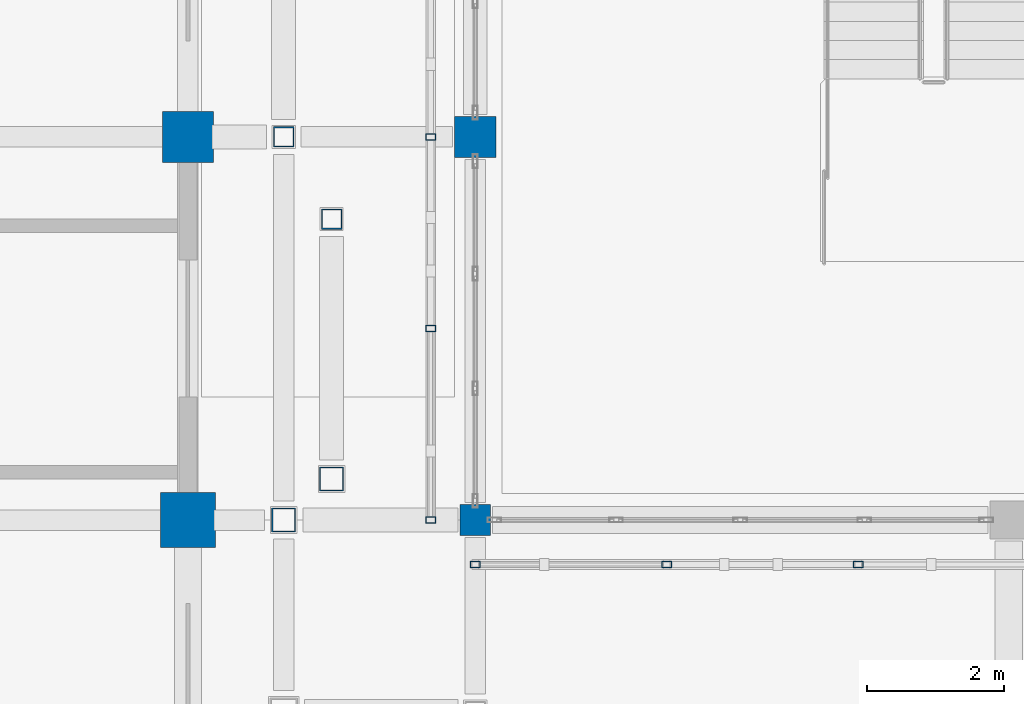
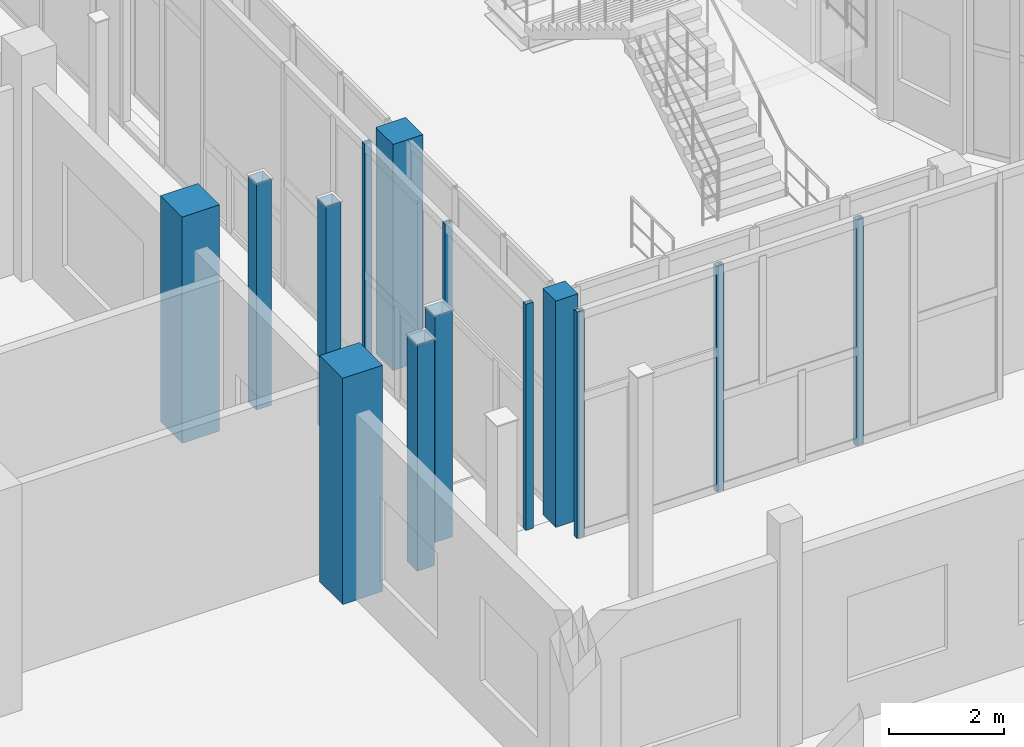
# One storey, part 3 of 91: 14 columns.
"""IFC4 building model written with IfcOpenShell, lengths in metres."""

from ifc_helpers import new_model, si_unit, direction, frame, origin, origin_2d, place, context, subcontext, project, spatial, rectangle, hollow_rectangle, extrude, material, material_profile, profile_set, type_object, element, save


model = new_model("IFC4")

# Units and contexts
model_context = context("Model", 3, precision=1e-05, world=origin(), true_north=direction((0.0, 1.0)))
body_context = subcontext(model_context, "Body", "Model", "MODEL_VIEW")
ifc_project = project(units=[si_unit("LENGTHUNIT", "METRE"), si_unit("AREAUNIT", "SQUARE_METRE"), si_unit("VOLUMEUNIT", "CUBIC_METRE"), si_unit("PLANEANGLEUNIT", "RADIAN"), si_unit("MASSUNIT", "GRAM", prefix="KILO")], contexts=[model_context])

# Site, building, storey
site_placement = place(None, origin())
site = spatial("IfcSite", under=ifc_project, at=site_placement, CompositionType="ELEMENT")
building_placement = place(site_placement, origin())
building = spatial("IfcBuilding", under=site, at=building_placement, Name="Vinh Khe Railworks Police Headquarters", CompositionType="ELEMENT")
storey_placement = place(building_placement, origin())
storey = spatial("IfcBuildingStorey", under=building, at=storey_placement, Name="L00", CompositionType="ELEMENT", Elevation=0.0)

# Columns
ifc_material_1 = material(Name="Steel S355JR", Category="steel")
ifc_material_profile_1 = material_profile(ifc_material_1, hollow_rectangle(XDim=0.14990234375, YDim=0.10009765625, WallThickness=0.008056640625, at=origin_2d()), Name="RHS 150x100x8")
ifc_profile_set_1 = profile_set([ifc_material_profile_1], Name="Steel S355JR")
column_type_1 = type_object("IfcColumnType", Name="COL-QUILT-POST", PredefinedType="COLUMN", material=ifc_profile_set_1)
for number, where, z_axis, x_axis, name in (
    (1, (26.39990234375, 24.550048828125, 0.0), (0.0, 0.0, 1.0), (1.0, 0.0, 0.0), "Patchwork Quilt Carrier Column S-1 (L00)"),
    (2, (29.199951171875, 24.550048828125, 0.0), (0.0, 0.0, 1.0), (1.0, 0.0, 0.0), "Patchwork Quilt Carrier Column S-2 (L00)"),
    (3, (32.0, 24.550048828125, 0.0), (0.0, 0.0, 1.0), (1.0, 0.0, 0.0), "Patchwork Quilt Carrier Column S-3 (L00)"),
    (4, (25.75, 25.199951171875, 0.0), (0.0, 0.0, 1.0), (1.0, 0.0, 0.0), "Patchwork Quilt Carrier Column W-1 (L00)"),
    (5, (25.75, 28.0, 0.0), (0.0, 0.0, 1.0), (1.0, 0.0, 0.0), "Patchwork Quilt Carrier Column W-2 (L00)"),
    (6, (25.75, 30.800048828125, 0.0), (0.0, 0.0, 1.0), (1.0, 0.0, 0.0), "Patchwork Quilt Carrier Column W-3 (L00)"),
):
    element("IfcColumn", number, at=place(storey_placement, frame(where, z_axis=z_axis, x_axis=x_axis)), inside=storey, type_object=column_type_1, Name=name, PredefinedType="COLUMN", context=body_context, shape_type="SweptSolid", body=[
        extrude(hollow_rectangle(XDim=0.14990234375, YDim=0.10009765625, WallThickness=0.008056640625, at=origin_2d()), origin(), (0.0, 0.0, 1.0), 4.800048828125),
    ])
ifc_material_2 = material(Name="Concrete C40/50 (B40)", Category="concrete")
ifc_material_profile_2 = material_profile(ifc_material_2, rectangle(XDim=0.449951171875, YDim=0.449951171875, at=origin_2d()), Name="RC 450x450")
ifc_profile_set_2 = profile_set([ifc_material_profile_2], Name="Concrete C40/50 (B40)")
column_type_2 = type_object("IfcColumnType", Name="RC Column RC 450x450", PredefinedType="COLUMN", material=ifc_profile_set_2)
column_1_placement = place(storey_placement, frame((26.39990234375, 25.199951171875, 0.0), z_axis=(0.0, 0.0, 1.0), x_axis=(1.0, 0.0, 0.0)))
element("IfcColumn", 7, at=column_1_placement, inside=storey, type_object=column_type_2, Name="Column COL-L00-CC-08-0723", PredefinedType="COLUMN", context=body_context, shape_type="SweptSolid", body=[
    extrude(rectangle(XDim=0.449951171875, YDim=0.449951171875, at=origin_2d()), origin(), (0.0, 0.0, 1.0), 4.800048828125),
])
ifc_material_profile_3 = material_profile(ifc_material_2, rectangle(XDim=0.60009765625, YDim=0.60009765625, at=origin_2d()), Name="RC 600x600")
ifc_profile_set_3 = profile_set([ifc_material_profile_3], Name="Concrete C40/50 (B40)")
column_type_3 = type_object("IfcColumnType", Name="RC Column RC 600x600", PredefinedType="COLUMN", material=ifc_profile_set_3)
column_2_placement = place(storey_placement, frame((26.39990234375, 30.800048828125, 0.0), z_axis=(0.0, 0.0, 1.0), x_axis=(1.0, 0.0, 0.0)))
element("IfcColumn", 8, at=column_2_placement, inside=storey, type_object=column_type_3, Name="Column COL-L00-CC-05-0728", PredefinedType="COLUMN", context=body_context, shape_type="SweptSolid", body=[
    extrude(rectangle(XDim=0.60009765625, YDim=0.60009765625, at=origin_2d()), origin(), (0.0, 0.0, 1.0), 4.800048828125),
])
ifc_material_profile_4 = material_profile(ifc_material_2, rectangle(XDim=0.75, YDim=0.75, at=origin_2d()), Name="RC 750x750")
ifc_profile_set_4 = profile_set([ifc_material_profile_4], Name="Concrete C40/50 (B40)")
column_type_4 = type_object("IfcColumnType", Name="RC Column RC 750x750", PredefinedType="COLUMN", material=ifc_profile_set_4)
column_3_placement = place(storey_placement, frame((22.199951171875, 30.800048828125, 0.0), z_axis=(0.0, 0.0, 1.0), x_axis=(1.0, 0.0, 0.0)))
element("IfcColumn", 9, at=column_3_placement, inside=storey, type_object=column_type_4, Name="Column COL-L00-CC-02-0527", PredefinedType="COLUMN", context=body_context, shape_type="SweptSolid", body=[
    extrude(rectangle(XDim=0.75, YDim=0.75, at=origin_2d()), origin(), (0.0, 0.0, 1.0), 4.800048828125),
])
ifc_material_profile_5 = material_profile(ifc_material_2, rectangle(XDim=0.800048828125, YDim=0.800048828125, at=origin_2d()), Name="RC 800x800")
ifc_profile_set_5 = profile_set([ifc_material_profile_5], Name="Concrete C40/50 (B40)")
column_type_5 = type_object("IfcColumnType", Name="RC Column RC 800x800", PredefinedType="COLUMN", material=ifc_profile_set_5)
column_4_placement = place(storey_placement, frame((22.199951171875, 25.199951171875, 0.0), z_axis=(0.0, 0.0, 1.0), x_axis=(1.0, 0.0, 0.0)))
element("IfcColumn", 10, at=column_4_placement, inside=storey, type_object=column_type_5, Name="Column COL-L00-CC-01-0518", PredefinedType="COLUMN", context=body_context, shape_type="SweptSolid", body=[
    extrude(rectangle(XDim=0.800048828125, YDim=0.800048828125, at=origin_2d()), origin(), (0.0, 0.0, 1.0), 4.800048828125),
])
ifc_material_profile_6 = material_profile(ifc_material_1, hollow_rectangle(XDim=0.300048828125, YDim=0.300048828125, WallThickness=0.01611328125, at=origin_2d()), Name="SHS 300x300x16")
ifc_profile_set_6 = profile_set([ifc_material_profile_6], Name="Steel S355JR")
column_type_6 = type_object("IfcColumnType", Name="Steel Column SHS 300x300x16", PredefinedType="COLUMN", material=ifc_profile_set_6)
for number, where, z_axis, x_axis, name in (
    (11, (23.60009765625, 30.800048828125, 0.0), (0.0, 0.0, 1.0), (1.0, 0.0, 0.0), "Column COL-L00-SC-23-0666"),
    (12, (24.300048828125, 29.60009765625, 0.0), (0.0, 0.0, 1.0), (1.0, 0.0, 0.0), "Column COL-L00-SC-23-0705"),
):
    element("IfcColumn", number, at=place(storey_placement, frame(where, z_axis=z_axis, x_axis=x_axis)), inside=storey, type_object=column_type_6, Name=name, PredefinedType="COLUMN", context=body_context, shape_type="SweptSolid", body=[
        extrude(hollow_rectangle(XDim=0.300048828125, YDim=0.300048828125, WallThickness=0.01611328125, at=origin_2d()), origin(), (0.0, 0.0, 1.0), 4.800048828125),
    ])
ifc_material_profile_7 = material_profile(ifc_material_1, hollow_rectangle(XDim=0.35009765625, YDim=0.35009765625, WallThickness=0.01611328125, at=origin_2d()), Name="SHS 350x350x16")
ifc_profile_set_7 = profile_set([ifc_material_profile_7], Name="Steel S355JR")
column_type_7 = type_object("IfcColumnType", Name="Steel Column SHS 350x350x16", PredefinedType="COLUMN", material=ifc_profile_set_7)
for number, where, z_axis, x_axis, name in (
    (13, (23.60009765625, 25.199951171875, 0.0), (0.0, 0.0, 1.0), (1.0, 0.0, 0.0), "Column COL-L00-SC-22-0661"),
    (14, (24.300048828125, 25.800048828125, 0.0), (0.0, 0.0, 1.0), (1.0, 0.0, 0.0), "Column COL-L00-SC-22-0701"),
):
    element("IfcColumn", number, at=place(storey_placement, frame(where, z_axis=z_axis, x_axis=x_axis)), inside=storey, type_object=column_type_7, Name=name, PredefinedType="COLUMN", context=body_context, shape_type="SweptSolid", body=[
        extrude(hollow_rectangle(XDim=0.35009765625, YDim=0.35009765625, WallThickness=0.01611328125, at=origin_2d()), origin(), (0.0, 0.0, 1.0), 4.800048828125),
    ])

save(model, "model.ifc")
